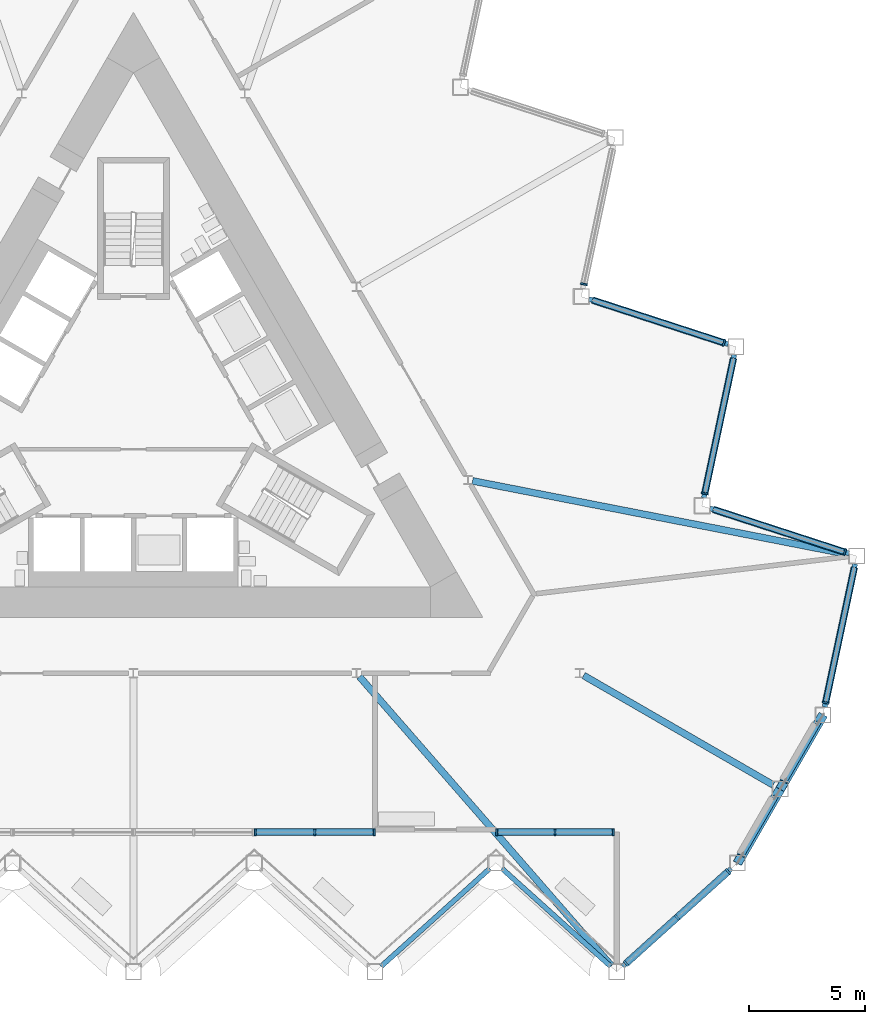
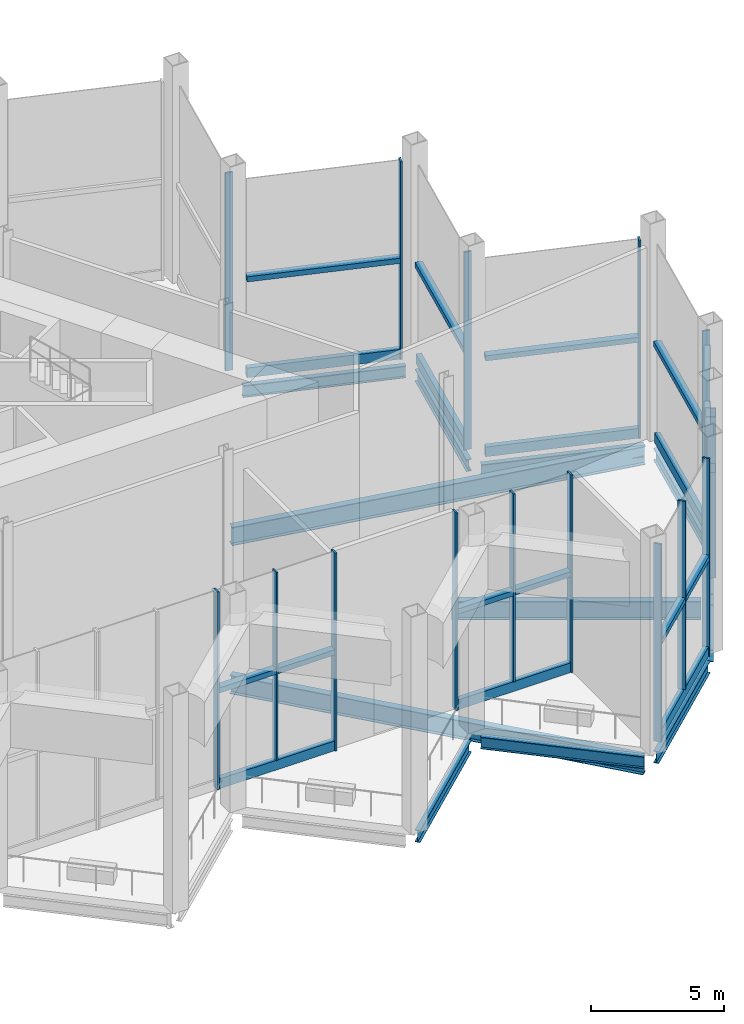
# One storey, part 5 of 17: 33 members, 12 beams, 4 elements without a shape of their own.
"""IFC4 building model written with IfcOpenShell, lengths in metres."""

import ifcopenshell
import ifcopenshell.guid

model = None  # the IFC model being written
_history = None  # IfcOwnerHistory: only IFC2X3 demands one
_inside = {}  # id of a spatial element -> (the spatial element, [elements in it])
_under = {}  # id of a project, library or spatial element -> (it, [spatial elements below it])
_declared = {}  # id of a project -> (the project, [libraries it declares])
_typed = {}  # id of a type object -> (the type object, [elements of that type])
_made_of = {}  # id of a material, layer set ... -> (it, [elements and type objects made of it])


def new_model(schema):
    """Start an empty IFC model of exactly this schema.

    Asked for "IFC4X3", IfcOpenShell would pick the latest addendum, in which some entities
    have other attributes; the version numbers below select the first issue.
    IFC2X3 requires an IfcOwnerHistory on every rooted entity: one is made here for all.
    """
    global model, _history
    if schema == "IFC4X3":
        model = ifcopenshell.file(schema_version=(4, 3, 0, 0))
    else:
        model = ifcopenshell.file(schema=schema)
    _inside.clear()
    _under.clear()
    _declared.clear()
    _typed.clear()
    _made_of.clear()
    _history = None
    if model.schema == "IFC2X3":
        org = make("IfcOrganization", Name="unknown")
        user = make(
            "IfcPersonAndOrganization",
            ThePerson=make("IfcPerson", FamilyName="unknown"),
            TheOrganization=org,
        )
        app = make(
            "IfcApplication",
            ApplicationDeveloper=org,
            Version="unknown",
            ApplicationFullName="unknown",
            ApplicationIdentifier="unknown",
        )
        _history = make(
            "IfcOwnerHistory",
            OwningUser=user,
            OwningApplication=app,
            ChangeAction="ADDED",
            CreationDate=0,
        )
    return model


def make(cls, **values):
    """One entity of the class cls with the attributes given. An attribute that is None is left unset."""
    return model.create_entity(
        cls, **{name: value for name, value in values.items() if value is not None}
    )


def rooted(cls, **values):
    """An entity with a GlobalId (a new one), such as an element, a storey or a relation."""
    return make(cls, GlobalId=ifcopenshell.guid.new(), OwnerHistory=_history, **values)


def si_unit(unit_type, name, prefix=None):
    """IfcSIUnit, for example si_unit("LENGTHUNIT", "METRE", prefix="MILLI")."""
    return make("IfcSIUnit", UnitType=unit_type, Prefix=prefix, Name=name)


def assignment(units):
    """IfcUnitAssignment: the units of a project."""
    return None if units is None else make("IfcUnitAssignment", Units=units)


def point(xyz):
    """IfcCartesianPoint."""
    return None if xyz is None else make("IfcCartesianPoint", Coordinates=xyz)


def direction(xyz):
    """IfcDirection."""
    return None if xyz is None else make("IfcDirection", DirectionRatios=xyz)


def frame(location, z_axis=None, x_axis=None):
    """IfcAxis2Placement3D, a coordinate frame: its origin and axes. An axis left out is left unset."""
    return make(
        "IfcAxis2Placement3D",
        Location=point(location),
        Axis=direction(z_axis),
        RefDirection=direction(x_axis),
    )


def frame_2d(location, x_axis=None):
    """IfcAxis2Placement2D, a coordinate frame in the plane: its origin and x axis."""
    return make(
        "IfcAxis2Placement2D", Location=point(location), RefDirection=direction(x_axis)
    )


def origin():
    """The frame at (0, 0, 0) with its axes left unset."""
    return frame((0.0, 0.0, 0.0))


def origin_2d():
    """The frame at (0, 0) in the plane with its x axis left unset."""
    return frame_2d((0.0, 0.0))


def place(relative_to, where):
    """IfcLocalPlacement: puts the frame where relative to a parent placement (None: the world)."""
    return make(
        "IfcLocalPlacement", PlacementRelTo=relative_to, RelativePlacement=where
    )


def context(
    kind, dimensions, precision=None, world=None, true_north=None, identifier=None
):
    """IfcGeometricRepresentationContext, for example the 3D "Model" context."""
    return make(
        "IfcGeometricRepresentationContext",
        ContextIdentifier=identifier,
        ContextType=kind,
        CoordinateSpaceDimension=dimensions,
        Precision=precision,
        WorldCoordinateSystem=world,
        TrueNorth=true_north,
    )


def subcontext(parent, identifier, kind, view, scale=None):
    """IfcGeometricRepresentationSubContext, for example "Body" below "Model"."""
    return make(
        "IfcGeometricRepresentationSubContext",
        ContextIdentifier=identifier,
        ContextType=kind,
        ParentContext=parent,
        TargetScale=scale,
        TargetView=view,
    )


def project(units=None, contexts=None):
    """IfcProject with its units and contexts."""
    return rooted(
        "IfcProject",
        Name="project",
        RepresentationContexts=contexts,
        UnitsInContext=assignment(units),
    )


def spatial(cls, under=None, at=None, **own):
    """A site, building, storey or space (cls), placed at a placement, below another one or the project."""
    s = rooted(cls, ObjectPlacement=at, **own)
    if under is not None:
        _under.setdefault(under.id(), (under, []))[1].append(s)
    return s


def profile(cls, at=None, kind="AREA", **sizes):
    """A parametric profile (cls). Its sizes go by their IFC names, for example OverallWidth=200.0."""
    return make(cls, ProfileType=kind, Position=at, **sizes)


def rectangle(**sizes):
    """IfcRectangleProfileDef."""
    return profile("IfcRectangleProfileDef", **sizes)


def hollow_rectangle(**sizes):
    """IfcRectangleHollowProfileDef."""
    return profile("IfcRectangleHollowProfileDef", **sizes)


def i_section(**sizes):
    """IfcIShapeProfileDef."""
    return profile("IfcIShapeProfileDef", **sizes)


def extrude(swept, where, along, depth):
    """IfcExtrudedAreaSolid: the profile swept, set in the frame where, extruded along a direction by depth."""
    return make(
        "IfcExtrudedAreaSolid",
        SweptArea=swept,
        Position=where,
        ExtrudedDirection=direction(along),
        Depth=depth,
    )


def shape(context_of_items, identifier, shape_type, items):
    """IfcShapeRepresentation: the items that make up one representation, for example the "Body"."""
    return make(
        "IfcShapeRepresentation",
        ContextOfItems=context_of_items,
        RepresentationIdentifier=identifier,
        RepresentationType=shape_type,
        Items=items,
    )


def material(Name=None, Category=None):
    """IfcMaterial."""
    return make("IfcMaterial", Name=Name, Category=Category)


def layer(
    of_material, thickness, ventilated=None, Name=None, Category=None, Priority=None
):
    """IfcMaterialLayer: one layer of a wall or slab, of a material (None: an air gap)."""
    return make(
        "IfcMaterialLayer",
        Material=of_material,
        LayerThickness=thickness,
        IsVentilated=ventilated,
        Name=Name,
        Category=Category,
        Priority=Priority,
    )


def layer_set(layers, Name=None):
    """IfcMaterialLayerSet."""
    return make("IfcMaterialLayerSet", MaterialLayers=layers, LayerSetName=Name)


def material_profile(
    of_material, cross_section, Name=None, Category=None, Priority=None
):
    """IfcMaterialProfile: a cross section and its material."""
    return make(
        "IfcMaterialProfile",
        Name=Name,
        Material=of_material,
        Profile=cross_section,
        Priority=Priority,
        Category=Category,
    )


def profile_set(profiles, Name=None, composite=None):
    """IfcMaterialProfileSet."""
    return make(
        "IfcMaterialProfileSet",
        Name=Name,
        MaterialProfiles=profiles,
        CompositeProfile=composite,
    )


def made_of(thing, what):
    """Note that an element or type object is made of a material, layer set ...; save() writes the relation."""
    if what is not None:
        _made_of.setdefault(what.id(), (what, []))[1].append(thing)
    return thing


def type_object(cls, material=None, **own):
    """A type object (cls), such as IfcWallType, which elements share."""
    return made_of(rooted(cls, **own), material)


def element(
    cls,
    number,
    at=None,
    inside=None,
    cuts=None,
    type_object=None,
    material=None,
    context=None,
    identifier="Body",
    shape_type=None,
    held_by="IfcProductDefinitionShape",
    body=None,
    shapes=None,
    **own,
):
    """One element of the class cls, such as IfcWall. Its Tag is "e" and its number.

    at: its placement. inside: the storey or other place that contains it. cuts: it is an
    opening in that element (IfcRelVoidsElement). A single representation is given by context,
    identifier, shape_type and body (its items); several are given by shapes. held_by: the class
    of the entity that holds the representations. save() writes the other relations.
    """
    e = rooted(cls, Tag="e%d" % number, ObjectPlacement=at, **own)
    if body is not None:
        shapes = [shape(context, identifier, shape_type, body)]
    if shapes is not None:
        e.Representation = make(held_by, Representations=shapes)
    if inside is not None:
        _inside.setdefault(inside.id(), (inside, []))[1].append(e)
    if cuts is not None:
        rooted(
            "IfcRelVoidsElement", RelatingBuildingElement=cuts, RelatedOpeningElement=e
        )
    if type_object is not None:
        _typed.setdefault(type_object.id(), (type_object, []))[1].append(e)
    return made_of(e, material)


def aggregate(whole, parts):
    """IfcRelAggregates: a whole, such as a stair, and the parts it consists of."""
    return rooted("IfcRelAggregates", RelatingObject=whole, RelatedObjects=parts)


def save(model, path):
    """Write the relations noted so far, then the file.

    IfcRelAggregates (storeys below a building ...), IfcRelContainedInSpatialStructure (elements
    in a storey), IfcRelDefinesByType, IfcRelAssociatesMaterial and IfcRelDeclares: one each for
    every whole, place, type object, material and project.
    """
    for whole, parts in _under.values():
        aggregate(whole, parts)
    for where, things in _inside.values():
        rooted(
            "IfcRelContainedInSpatialStructure",
            RelatedElements=things,
            RelatingStructure=where,
        )
    for kind, things in _typed.values():
        rooted("IfcRelDefinesByType", RelatedObjects=things, RelatingType=kind)
    for what, things in _made_of.values():
        rooted("IfcRelAssociatesMaterial", RelatedObjects=things, RelatingMaterial=what)
    for by, libraries in _declared.values():
        rooted("IfcRelDeclares", RelatingContext=by, RelatedDefinitions=libraries)
    model.write(path)


model = new_model("IFC4")

# Units and contexts
model_context = context("Model", 3, precision=1e-05, world=origin(), true_north=direction((0.0, 1.0)))
body_context = subcontext(model_context, "Body", "Model", "MODEL_VIEW")
ifc_project = project(units=[si_unit("LENGTHUNIT", "METRE"), si_unit("AREAUNIT", "SQUARE_METRE"), si_unit("VOLUMEUNIT", "CUBIC_METRE"), si_unit("PLANEANGLEUNIT", "RADIAN"), si_unit("MASSUNIT", "GRAM", prefix="KILO")], contexts=[model_context])

# Site, building, storey
site_placement = place(None, origin())
site = spatial("IfcSite", under=ifc_project, at=site_placement, CompositionType="ELEMENT")
building_placement = place(site_placement, origin())
building = spatial("IfcBuilding", under=site, at=building_placement, Name="Cormorant Prow Tower", CompositionType="ELEMENT")
storey_placement = place(building_placement, frame((0.0, 0.0, 277.800048828125)))
storey = spatial("IfcBuildingStorey", under=building, at=storey_placement, Name="L63", CompositionType="ELEMENT", Elevation=277.800048828125)

# Members
ifc_material_1 = material(Name="Structural steel ASTM A500 Gr C", Category="steel")
ifc_material_profile_1 = material_profile(ifc_material_1, hollow_rectangle(XDim=0.406494140625, YDim=0.406494140625, WallThickness=0.01171875, at=origin_2d()), Name="HSS16x16x1/2")
ifc_profile_set_1 = profile_set([ifc_material_profile_1], Name="Structural steel ASTM A500 Gr C")
member_type_1 = type_object("IfcMemberType", Name="Chamfer brace HSS16x16x1/2", PredefinedType="BRACE", material=ifc_profile_set_1)
for number, where, z_axis, x_axis, name in (
    (1, (27.693115234375, -16.180908203125, 0.958251953125), (-0.210649248419, -0.36486853724, 0.90691666909), (0.866033317326, -0.499986293093, 0.0), "Chamfer brace BR2 at ESE00 L63"),
    (2, (29.5283203125, -13.002197265625, 0.958251953125), (-0.210649248419, -0.36486853724, 0.90691666909), (0.866033317326, -0.499986293093, 0.0), "Chamfer brace BR2 at ESE01 L63"),
):
    element("IfcMember", number, at=place(storey_placement, frame(where, z_axis=z_axis, x_axis=x_axis)), inside=storey, type_object=member_type_1, Name=name, PredefinedType="BRACE", context=body_context, shape_type="SweptSolid", body=[
        extrude(hollow_rectangle(XDim=0.406494140625, YDim=0.406494140625, WallThickness=0.01171875, at=origin_2d()), origin(), (0.0, 0.0, 1.0), 7.921630859375),
    ])

# Beams
ifc_material_2 = material(Name="Structural steel ASTM A992 Gr 50", Category="steel")
ifc_material_profile_2 = material_profile(ifc_material_2, i_section(OverallWidth=0.29296875, OverallDepth=0.845703125, WebThickness=0.015380859375, FlangeThickness=0.0244140625, at=origin_2d()), Name="W33x141")
ifc_profile_set_2 = profile_set([ifc_material_profile_2], Name="Structural steel ASTM A992 Gr 50")
beam_type_1 = type_object("IfcBeamType", Name="Radial floor beam W33x141", PredefinedType="BEAM", material=ifc_profile_set_2)
beam_1_placement = place(storey_placement, frame((9.70947265625, -11.210693359375, -0.77294921875), z_axis=(0.656874593387, -0.753999846527, 0.0), x_axis=(0.753999846527, 0.656874593387, 0.0)))
element("IfcBeam", 3, at=beam_1_placement, inside=storey, type_object=beam_type_1, Name="Radial floor beam FB2 8 L63", PredefinedType="BEAM", context=body_context, shape_type="SweptSolid", body=[
    extrude(i_section(OverallWidth=0.29296875, OverallDepth=0.845703125, WebThickness=0.015380859375, FlangeThickness=0.0244140625, at=origin_2d()), origin(), (0.0, 0.0, 1.0), 16.4619140625),
])
beam_2_placement = place(storey_placement, frame((19.32958984375, -11.159912109375, -0.77294921875), z_axis=(0.866021726843, -0.500006368596, 0.0), x_axis=(0.500006368596, 0.866021726843, 0.0)))
element("IfcBeam", 4, at=beam_2_placement, inside=storey, type_object=beam_type_1, Name="Radial floor beam FB2 9 L63", PredefinedType="BEAM", context=body_context, shape_type="SweptSolid", body=[
    extrude(i_section(OverallWidth=0.29296875, OverallDepth=0.845703125, WebThickness=0.015380859375, FlangeThickness=0.0244140625, at=origin_2d()), origin(), (0.0, 0.0, 1.0), 9.40380859375),
])
beam_3_placement = place(storey_placement, frame((14.5634765625, -2.80322265625, -0.77294921875), z_axis=(0.981419133752, -0.191876220269, 0.0), x_axis=(0.191876220269, 0.981419133752, 0.0)))
element("IfcBeam", 5, at=beam_3_placement, inside=storey, type_object=beam_type_1, Name="Radial floor beam FB2 10 L63", PredefinedType="BEAM", context=body_context, shape_type="SweptSolid", body=[
    extrude(i_section(OverallWidth=0.29296875, OverallDepth=0.845703125, WebThickness=0.015380859375, FlangeThickness=0.0244140625, at=origin_2d()), origin(), (0.0, 0.0, 1.0), 16.462158203125),
])

# Curtain wall, members
ifc_material_3 = material(Name="Aluminium 6063-T6", Category="aluminium")
ifc_layer = layer(ifc_material_3, 0.300048828125)
ifc_layer_set = layer_set([ifc_layer], Name="Aluminium 6063-T6")
curtain_wall_type = type_object("IfcCurtainWallType", Name="Sky lobby unitised curtain wall 300", PredefinedType="NOTDEFINED", material=ifc_layer_set)
curtain_wall_1_placement = place(storey_placement, origin())
curtain_wall_1 = element("IfcCurtainWall", 6, at=curtain_wall_1_placement, inside=storey, type_object=curtain_wall_type, Name="Sky lobby curtain wall S09", PredefinedType="NOTDEFINED")
ifc_material_4 = material(Name="Aluminium 6063-T6", Category="aluminium")
ifc_material_profile_3 = material_profile(ifc_material_4, rectangle(XDim=0.300048828125, YDim=0.239990234375, at=origin_2d()), Name="Sky lobby intermediate transom 300x240")
ifc_profile_set_3 = profile_set([ifc_material_profile_3], Name="Aluminium 6063-T6")
member_type_2 = type_object("IfcMemberType", Name="Sky lobby intermediate transom 300x240", PredefinedType="USERDEFINED", material=ifc_profile_set_3)
member_1_placement = place(storey_placement, frame((21.184814453125, -23.498046875, 4.550537109375), z_axis=(0.743146066164, 0.669129228435, 0.0), x_axis=(-0.669129228435, 0.743146066164, 0.0)))
member_1 = element("IfcMember", 7, at=member_1_placement, type_object=member_type_2, Name="Sky lobby intermediate transom S09", ObjectType="TRANSOM", PredefinedType="USERDEFINED", context=body_context, shape_type="SweptSolid", body=[
    extrude(rectangle(XDim=0.300048828125, YDim=0.239990234375, at=origin_2d()), origin(), (0.0, 0.0, 1.0), 2.86962890625),
])
member_2_placement = place(storey_placement, frame((23.376708984375, -21.5244140625, 4.550537109375), z_axis=(0.743184154332, 0.669086924659, 0.0), x_axis=(-0.669086924659, 0.743184154332, 0.0)))
member_2 = element("IfcMember", 8, at=member_2_placement, type_object=member_type_2, Name="Sky lobby intermediate transom S09", ObjectType="TRANSOM", PredefinedType="USERDEFINED", context=body_context, shape_type="SweptSolid", body=[
    extrude(rectangle(XDim=0.300048828125, YDim=0.239990234375, at=origin_2d()), origin(), (0.0, 0.0, 1.0), 2.869873046875),
])

curtain_wall_2_placement = place(storey_placement, origin())
curtain_wall_2 = element("IfcCurtainWall", 9, at=curtain_wall_2_placement, inside=storey, type_object=curtain_wall_type, Name="Sky lobby curtain wall ENE00-ENE09", PredefinedType="NOTDEFINED")
member_3_placement = place(storey_placement, frame((29.732421875, -12.289794921875, 4.550537109375), z_axis=(0.207912209842, 0.978147490412, 0.0), x_axis=(-0.978147490412, 0.207912209842, 0.0)))
member_3 = element("IfcMember", 10, at=member_3_placement, type_object=member_type_2, Name="Sky lobby intermediate transom ENE00-ENE09", ObjectType="TRANSOM", PredefinedType="USERDEFINED", context=body_context, shape_type="SweptSolid", body=[
    extrude(rectangle(XDim=0.300048828125, YDim=0.239990234375, at=origin_2d()), origin(), (0.0, 0.0, 1.0), 5.8994140625),
])
member_4_placement = place(storey_placement, frame((30.510498046875, -5.849609375, 4.550537109375), z_axis=(-0.951056267438, 0.309017760278, 0.0), x_axis=(-0.309017760278, -0.951056267438, 0.0)))
member_4 = element("IfcMember", 11, at=member_4_placement, type_object=member_type_2, Name="Sky lobby intermediate transom ENE00-ENE09", ObjectType="TRANSOM", PredefinedType="USERDEFINED", context=body_context, shape_type="SweptSolid", body=[
    extrude(rectangle(XDim=0.300048828125, YDim=0.239990234375, at=origin_2d()), origin(), (0.0, 0.0, 1.0), 5.8994140625),
])
member_5_placement = place(storey_placement, frame((24.544189453125, -3.303466796875, 4.550537109375), z_axis=(0.207912209842, 0.978147490412, 0.0), x_axis=(-0.978147490412, 0.207912209842, 0.0)))
member_5 = element("IfcMember", 12, at=member_5_placement, type_object=member_type_2, Name="Sky lobby intermediate transom ENE00-ENE09", ObjectType="TRANSOM", PredefinedType="USERDEFINED", context=body_context, shape_type="SweptSolid", body=[
    extrude(rectangle(XDim=0.300048828125, YDim=0.239990234375, at=origin_2d()), origin(), (0.0, 0.0, 1.0), 5.8994140625),
])
member_6_placement = place(storey_placement, frame((25.322265625, 3.13671875, 4.550537109375), z_axis=(-0.951056267438, 0.309017760278, 0.0), x_axis=(-0.309017760278, -0.951056267438, 0.0)))
member_6 = element("IfcMember", 13, at=member_6_placement, type_object=member_type_2, Name="Sky lobby intermediate transom ENE00-ENE09", ObjectType="TRANSOM", PredefinedType="USERDEFINED", context=body_context, shape_type="SweptSolid", body=[
    extrude(rectangle(XDim=0.300048828125, YDim=0.239990234375, at=origin_2d()), origin(), (0.0, 0.0, 1.0), 5.8994140625),
])

curtain_wall_3_placement = place(storey_placement, origin())
curtain_wall_3 = element("IfcCurtainWall", 14, at=curtain_wall_3_placement, inside=storey, type_object=curtain_wall_type, Name="Sky lobby curtain wall loggia S06", PredefinedType="NOTDEFINED")
member_7_placement = place(storey_placement, frame((5.268310546875, -17.886962890625, 4.550537109375), z_axis=(1.0, 0.0, 0.0), x_axis=(0.0, 1.0, 0.0)))
member_7 = element("IfcMember", 15, at=member_7_placement, type_object=member_type_2, Name="Sky lobby intermediate transom loggia S06", ObjectType="TRANSOM", PredefinedType="USERDEFINED", context=body_context, shape_type="SweptSolid", body=[
    extrude(rectangle(XDim=0.300048828125, YDim=0.239990234375, at=origin_2d()), origin(), (0.0, 0.0, 1.0), 2.47412109375),
])
member_8_placement = place(storey_placement, frame((7.822265625, -17.886962890625, 4.550537109375), z_axis=(1.0, 0.0, 0.0), x_axis=(0.0, 1.0, 0.0)))
member_8 = element("IfcMember", 16, at=member_8_placement, type_object=member_type_2, Name="Sky lobby intermediate transom loggia S06", ObjectType="TRANSOM", PredefinedType="USERDEFINED", context=body_context, shape_type="SweptSolid", body=[
    extrude(rectangle(XDim=0.300048828125, YDim=0.239990234375, at=origin_2d()), origin(), (0.0, 0.0, 1.0), 2.47412109375),
])

curtain_wall_4_placement = place(storey_placement, origin())
curtain_wall_4 = element("IfcCurtainWall", 17, at=curtain_wall_4_placement, inside=storey, type_object=curtain_wall_type, Name="Sky lobby curtain wall loggia S08", PredefinedType="NOTDEFINED")
member_9_placement = place(storey_placement, frame((15.644775390625, -17.886962890625, 4.550537109375), z_axis=(1.0, 0.0, 0.0), x_axis=(0.0, 1.0, 0.0)))
member_9 = element("IfcMember", 18, at=member_9_placement, type_object=member_type_2, Name="Sky lobby intermediate transom loggia S08", ObjectType="TRANSOM", PredefinedType="USERDEFINED", context=body_context, shape_type="SweptSolid", body=[
    extrude(rectangle(XDim=0.300048828125, YDim=0.239990234375, at=origin_2d()), origin(), (0.0, 0.0, 1.0), 2.4189453125),
])
member_10_placement = place(storey_placement, frame((18.143798828125, -17.886962890625, 4.550537109375), z_axis=(1.0, 0.0, 0.0), x_axis=(0.0, 1.0, 0.0)))
member_10 = element("IfcMember", 19, at=member_10_placement, type_object=member_type_2, Name="Sky lobby intermediate transom loggia S08", ObjectType="TRANSOM", PredefinedType="USERDEFINED", context=body_context, shape_type="SweptSolid", body=[
    extrude(rectangle(XDim=0.300048828125, YDim=0.239990234375, at=origin_2d()), origin(), (0.0, 0.0, 1.0), 2.419189453125),
])

# Member
ifc_material_5 = material(Name="Aluminium 6063-T6", Category="aluminium")
ifc_material_profile_4 = material_profile(ifc_material_5, rectangle(XDim=0.300048828125, YDim=0.080078125, at=origin_2d()), Name="Sky lobby mullion 80x300")
ifc_profile_set_4 = profile_set([ifc_material_profile_4], Name="Aluminium 6063-T6")
member_type_3 = type_object("IfcMemberType", Name="Sky lobby mullion 80x300", PredefinedType="MULLION", material=ifc_profile_set_4)
member_11_placement = place(storey_placement, frame((21.155029296875, -23.52490234375, 0.0), z_axis=(0.0, 0.0, 1.0), x_axis=(-0.669130584309, 0.743144845331, 0.0)))
member_11 = element("IfcMember", 20, at=member_11_placement, type_object=member_type_3, Name="Sky lobby mullion S09", PredefinedType="MULLION", context=body_context, shape_type="SweptSolid", body=[
    extrude(rectangle(XDim=0.300048828125, YDim=0.080078125, at=origin_2d()), origin(), (0.0, 0.0, 1.0), 9.100830078125),
])

member_12_placement = place(storey_placement, frame((23.34716796875, -21.55126953125, 0.449951171875), z_axis=(0.0, 0.0, 1.0), x_axis=(-0.669130584309, 0.743144845331, 0.0)))
member_12 = element("IfcMember", 21, at=member_12_placement, type_object=member_type_3, Name="Sky lobby mullion S09", PredefinedType="MULLION", context=body_context, shape_type="SweptSolid", body=[
    extrude(rectangle(XDim=0.300048828125, YDim=0.080078125, at=origin_2d()), origin(), (0.0, 0.0, 1.0), 8.65087890625),
])

member_13_placement = place(storey_placement, frame((25.5390625, -19.577392578125, 0.0), z_axis=(0.0, 0.0, 1.0), x_axis=(-0.669130584309, 0.743144845331, 0.0)))
member_13 = element("IfcMember", 22, at=member_13_placement, type_object=member_type_3, Name="Sky lobby mullion S09", PredefinedType="MULLION", context=body_context, shape_type="SweptSolid", body=[
    extrude(rectangle(XDim=0.300048828125, YDim=0.080078125, at=origin_2d()), origin(), (0.0, 0.0, 1.0), 9.100830078125),
])

member_14_placement = place(storey_placement, frame((29.72412109375, -12.328857421875, 0.0), z_axis=(0.0, 0.0, 1.0), x_axis=(-0.97814760486, 0.207911671407, 0.0)))
member_14 = element("IfcMember", 23, at=member_14_placement, type_object=member_type_3, Name="Sky lobby mullion ENE00-ENE09", PredefinedType="MULLION", context=body_context, shape_type="SweptSolid", body=[
    extrude(rectangle(XDim=0.300048828125, YDim=0.080078125, at=origin_2d()), origin(), (0.0, 0.0, 1.0), 9.100830078125),
])

member_15_placement = place(storey_placement, frame((30.548583984375, -5.862060546875, 0.0), z_axis=(0.0, 0.0, 1.0), x_axis=(-0.309016984432, -0.951056519526, 0.0)))
member_15 = element("IfcMember", 24, at=member_15_placement, type_object=member_type_3, Name="Sky lobby mullion ENE00-ENE09", PredefinedType="MULLION", context=body_context, shape_type="SweptSolid", body=[
    extrude(rectangle(XDim=0.300048828125, YDim=0.080078125, at=origin_2d()), origin(), (0.0, 0.0, 1.0), 9.100830078125),
])

member_16_placement = place(storey_placement, frame((24.535888671875, -3.342529296875, 0.0), z_axis=(0.0, 0.0, 1.0), x_axis=(-0.97814761105, 0.207911642282, 0.0)))
member_16 = element("IfcMember", 25, at=member_16_placement, type_object=member_type_3, Name="Sky lobby mullion ENE00-ENE09", PredefinedType="MULLION", context=body_context, shape_type="SweptSolid", body=[
    extrude(rectangle(XDim=0.300048828125, YDim=0.080078125, at=origin_2d()), origin(), (0.0, 0.0, 1.0), 9.100830078125),
])

member_17_placement = place(storey_placement, frame((25.3603515625, 3.124267578125, 0.0), z_axis=(0.0, 0.0, 1.0), x_axis=(-0.309016942337, -0.951056533203, 0.0)))
member_17 = element("IfcMember", 26, at=member_17_placement, type_object=member_type_3, Name="Sky lobby mullion ENE00-ENE09", PredefinedType="MULLION", context=body_context, shape_type="SweptSolid", body=[
    extrude(rectangle(XDim=0.300048828125, YDim=0.080078125, at=origin_2d()), origin(), (0.0, 0.0, 1.0), 9.100830078125),
])

member_18_placement = place(storey_placement, frame((19.34765625, 5.643798828125, 0.0), z_axis=(0.0, 0.0, 1.0), x_axis=(-0.97814760486, 0.207911671407, 0.0)))
member_18 = element("IfcMember", 27, at=member_18_placement, type_object=member_type_3, Name="Sky lobby mullion ENE00-ENE09", PredefinedType="MULLION", context=body_context, shape_type="SweptSolid", body=[
    extrude(rectangle(XDim=0.300048828125, YDim=0.080078125, at=origin_2d()), origin(), (0.0, 0.0, 1.0), 9.100830078125),
])

member_19_placement = place(storey_placement, frame((5.228271484375, -17.886962890625, 0.0), z_axis=(0.0, 0.0, 1.0), x_axis=(0.0, 1.0, 0.0)))
member_19 = element("IfcMember", 28, at=member_19_placement, type_object=member_type_3, Name="Sky lobby mullion loggia S06", PredefinedType="MULLION", context=body_context, shape_type="SweptSolid", body=[
    extrude(rectangle(XDim=0.300048828125, YDim=0.080078125, at=origin_2d()), origin(), (0.0, 0.0, 1.0), 9.100830078125),
])

member_20_placement = place(storey_placement, frame((7.782470703125, -17.886962890625, 0.449951171875), z_axis=(0.0, 0.0, 1.0), x_axis=(0.0, 1.0, 0.0)))
member_20 = element("IfcMember", 29, at=member_20_placement, type_object=member_type_3, Name="Sky lobby mullion loggia S06", PredefinedType="MULLION", context=body_context, shape_type="SweptSolid", body=[
    extrude(rectangle(XDim=0.300048828125, YDim=0.080078125, at=origin_2d()), origin(), (0.0, 0.0, 1.0), 8.65087890625),
])

member_21_placement = place(storey_placement, frame((10.33642578125, -17.886962890625, 0.0), z_axis=(0.0, 0.0, 1.0), x_axis=(0.0, 1.0, 0.0)))
member_21 = element("IfcMember", 30, at=member_21_placement, type_object=member_type_3, Name="Sky lobby mullion loggia S06", PredefinedType="MULLION", context=body_context, shape_type="SweptSolid", body=[
    extrude(rectangle(XDim=0.300048828125, YDim=0.080078125, at=origin_2d()), origin(), (0.0, 0.0, 1.0), 9.100830078125),
])

member_22_placement = place(storey_placement, frame((15.604736328125, -17.886962890625, 0.0), z_axis=(0.0, 0.0, 1.0), x_axis=(0.0, 1.0, 0.0)))
member_22 = element("IfcMember", 31, at=member_22_placement, type_object=member_type_3, Name="Sky lobby mullion loggia S08", PredefinedType="MULLION", context=body_context, shape_type="SweptSolid", body=[
    extrude(rectangle(XDim=0.300048828125, YDim=0.080078125, at=origin_2d()), origin(), (0.0, 0.0, 1.0), 9.100830078125),
])

member_23_placement = place(storey_placement, frame((18.103759765625, -17.886962890625, 0.449951171875), z_axis=(0.0, 0.0, 1.0), x_axis=(0.0, 1.0, 0.0)))
member_23 = element("IfcMember", 32, at=member_23_placement, type_object=member_type_3, Name="Sky lobby mullion loggia S08", PredefinedType="MULLION", context=body_context, shape_type="SweptSolid", body=[
    extrude(rectangle(XDim=0.300048828125, YDim=0.080078125, at=origin_2d()), origin(), (0.0, 0.0, 1.0), 8.65087890625),
])

member_24_placement = place(storey_placement, frame((20.60302734375, -17.886962890625, 0.0), z_axis=(0.0, 0.0, 1.0), x_axis=(0.0, 1.0, 0.0)))
member_24 = element("IfcMember", 33, at=member_24_placement, type_object=member_type_3, Name="Sky lobby mullion loggia S08", PredefinedType="MULLION", context=body_context, shape_type="SweptSolid", body=[
    extrude(rectangle(XDim=0.300048828125, YDim=0.080078125, at=origin_2d()), origin(), (0.0, 0.0, 1.0), 9.100830078125),
])

ifc_material_6 = material(Name="Terracotta", Category="masonry")
ifc_material_profile_5 = material_profile(ifc_material_6, rectangle(XDim=0.219970703125, YDim=0.449951171875, at=origin_2d()), Name="Sky lobby terracotta spandrel rail 220x450")
ifc_profile_set_5 = profile_set([ifc_material_profile_5], Name="Terracotta")
member_type_4 = type_object("IfcMemberType", Name="Sky lobby terracotta spandrel rail 220x450", PredefinedType="USERDEFINED", material=ifc_profile_set_5)
member_25_placement = place(storey_placement, frame((21.184814453125, -23.498046875, 0.224853515625), z_axis=(0.743160622624, 0.669113061433, 0.0), x_axis=(-0.669113061433, 0.743160622624, 0.0)))
member_25 = element("IfcMember", 34, at=member_25_placement, type_object=member_type_4, Name="Sky lobby spandrel rail S09", ObjectType="TRANSOM", PredefinedType="USERDEFINED", context=body_context, shape_type="SweptSolid", body=[
    extrude(rectangle(XDim=0.219970703125, YDim=0.449951171875, at=origin_2d()), origin(), (0.0, 0.0, 1.0), 5.8193359375),
])

aggregate(curtain_wall_1, [member_11, member_12, member_13, member_25, member_1, member_2])

member_26_placement = place(storey_placement, frame((29.732421875, -12.289794921875, 0.224853515625), z_axis=(0.207912209842, 0.978147490412, 0.0), x_axis=(-0.978147490412, 0.207912209842, 0.0)))
member_26 = element("IfcMember", 35, at=member_26_placement, type_object=member_type_4, Name="Sky lobby spandrel rail ENE00-ENE09", ObjectType="TRANSOM", PredefinedType="USERDEFINED", context=body_context, shape_type="SweptSolid", body=[
    extrude(rectangle(XDim=0.219970703125, YDim=0.449951171875, at=origin_2d()), origin(), (0.0, 0.0, 1.0), 5.8994140625),
])

member_27_placement = place(storey_placement, frame((30.510498046875, -5.849609375, 0.224853515625), z_axis=(-0.951056267438, 0.309017760278, 0.0), x_axis=(-0.309017760278, -0.951056267438, 0.0)))
member_27 = element("IfcMember", 36, at=member_27_placement, type_object=member_type_4, Name="Sky lobby spandrel rail ENE00-ENE09", ObjectType="TRANSOM", PredefinedType="USERDEFINED", context=body_context, shape_type="SweptSolid", body=[
    extrude(rectangle(XDim=0.219970703125, YDim=0.449951171875, at=origin_2d()), origin(), (0.0, 0.0, 1.0), 5.8994140625),
])

member_28_placement = place(storey_placement, frame((24.544189453125, -3.303466796875, 0.224853515625), z_axis=(0.207912209842, 0.978147490412, 0.0), x_axis=(-0.978147490412, 0.207912209842, 0.0)))
member_28 = element("IfcMember", 37, at=member_28_placement, type_object=member_type_4, Name="Sky lobby spandrel rail ENE00-ENE09", ObjectType="TRANSOM", PredefinedType="USERDEFINED", context=body_context, shape_type="SweptSolid", body=[
    extrude(rectangle(XDim=0.219970703125, YDim=0.449951171875, at=origin_2d()), origin(), (0.0, 0.0, 1.0), 5.8994140625),
])

member_29_placement = place(storey_placement, frame((25.322265625, 3.13671875, 0.224853515625), z_axis=(-0.951056267438, 0.309017760278, 0.0), x_axis=(-0.309017760278, -0.951056267438, 0.0)))
member_29 = element("IfcMember", 38, at=member_29_placement, type_object=member_type_4, Name="Sky lobby spandrel rail ENE00-ENE09", ObjectType="TRANSOM", PredefinedType="USERDEFINED", context=body_context, shape_type="SweptSolid", body=[
    extrude(rectangle(XDim=0.219970703125, YDim=0.449951171875, at=origin_2d()), origin(), (0.0, 0.0, 1.0), 5.8994140625),
])

aggregate(curtain_wall_2, [member_14, member_26, member_3, member_15, member_27, member_4, member_16, member_28, member_5, member_17, member_29, member_6, member_18])

member_30_placement = place(storey_placement, frame((5.268310546875, -17.886962890625, 0.224853515625), z_axis=(1.0, 0.0, 0.0), x_axis=(0.0, 1.0, 0.0)))
member_30 = element("IfcMember", 39, at=member_30_placement, type_object=member_type_4, Name="Sky lobby spandrel rail loggia S06", ObjectType="TRANSOM", PredefinedType="USERDEFINED", context=body_context, shape_type="SweptSolid", body=[
    extrude(rectangle(XDim=0.219970703125, YDim=0.449951171875, at=origin_2d()), origin(), (0.0, 0.0, 1.0), 5.028076171875),
])

aggregate(curtain_wall_3, [member_19, member_20, member_21, member_30, member_7, member_8])

member_31_placement = place(storey_placement, frame((15.644775390625, -17.886962890625, 0.224853515625), z_axis=(1.0, 0.0, 0.0), x_axis=(0.0, 1.0, 0.0)))
member_31 = element("IfcMember", 40, at=member_31_placement, type_object=member_type_4, Name="Sky lobby spandrel rail loggia S08", ObjectType="TRANSOM", PredefinedType="USERDEFINED", context=body_context, shape_type="SweptSolid", body=[
    extrude(rectangle(XDim=0.219970703125, YDim=0.449951171875, at=origin_2d()), origin(), (0.0, 0.0, 1.0), 4.918212890625),
])

aggregate(curtain_wall_4, [member_22, member_23, member_24, member_31, member_9, member_10])

# Beams
ifc_material_7 = material(Name="Structural steel ASTM A992 Gr 50", Category="steel")
ifc_material_profile_6 = material_profile(ifc_material_7, i_section(OverallWidth=0.2138671875, OverallDepth=0.549072265625, WebThickness=0.0146484375, FlangeThickness=0.023681640625, at=origin_2d()), Name="W21x93")
ifc_profile_set_6 = profile_set([ifc_material_profile_6], Name="Structural steel ASTM A992 Gr 50")
beam_type_2 = type_object("IfcBeamType", Name="Spandrel beam W21x93", PredefinedType="SPANDREL", material=ifc_profile_set_6)
for number, where, z_axis, x_axis, name in (
    (41, (10.636474609375, -23.65283203125, -0.62451171875), (0.743156918576, 0.669117175368, 0.0), (-0.669117175368, 0.743156918576, 0.0), "Spandrel beam SB2 S07-S08 L63"),
    (42, (15.82470703125, -19.44970703125, -0.62451171875), (0.743156918576, -0.669117175368, 0.0), (0.669117175368, 0.743156918576, 0.0), "Spandrel beam SB2 S08-S09 L63"),
    (43, (21.012939453125, -23.65283203125, -0.62451171875), (0.743156918576, 0.669117175368, 0.0), (-0.669117175368, 0.743156918576, 0.0), "Spandrel beam SB2 S09-ESE00 L63"),
):
    element("IfcBeam", number, at=place(storey_placement, frame(where, z_axis=z_axis, x_axis=x_axis)), inside=storey, type_object=beam_type_2, Name=name, PredefinedType="SPANDREL", context=body_context, shape_type="SweptSolid", body=[
        extrude(i_section(OverallWidth=0.2138671875, OverallDepth=0.549072265625, WebThickness=0.0146484375, FlangeThickness=0.023681640625, at=origin_2d()), origin(), (0.0, 0.0, 1.0), 6.281494140625),
    ])
for number, where, z_axis, x_axis, name in (
    (44, (26.1162109375, -18.912353515625, -0.62451171875), (0.499966725515, 0.866044613965, 0.0), (-0.866044613965, 0.499966725515, 0.0), "Spandrel beam SB2 ESE00-ESE01 L63"),
    (45, (27.951416015625, -15.733642578125, -0.62451171875), (0.499966725515, 0.866044613965, 0.0), (-0.866044613965, 0.499966725515, 0.0), "Spandrel beam SB2 ESE01-ENE00 L63"),
):
    element("IfcBeam", number, at=place(storey_placement, frame(where, z_axis=z_axis, x_axis=x_axis)), inside=storey, type_object=beam_type_2, Name=name, PredefinedType="SPANDREL", context=body_context, shape_type="SweptSolid", body=[
        extrude(i_section(OverallWidth=0.2138671875, OverallDepth=0.549072265625, WebThickness=0.0146484375, FlangeThickness=0.023681640625, at=origin_2d()), origin(), (0.0, 0.0, 1.0), 2.970458984375),
    ])
for number, where, z_axis, x_axis, name in (
    (46, (29.684326171875, -12.515625, -0.62451171875), (0.207941499013, 0.978141264331, 0.0), (-0.978141264331, 0.207941499013, 0.0), "Spandrel beam SB2 ENE00-ENE01 L63"),
    (47, (30.730224609375, -5.9208984375, -0.62451171875), (-0.951061771288, 0.309000820701, 0.0), (-0.309000820701, -0.951061771288, 0.0), "Spandrel beam SB2 ENE01-ENE02 L63"),
    (48, (24.49609375, -3.529296875, -0.62451171875), (0.207941499013, 0.978141264331, 0.0), (-0.978141264331, 0.207941499013, 0.0), "Spandrel beam SB2 ENE02-ENE03 L63"),
    (49, (25.5419921875, 3.0654296875, -0.62451171875), (-0.951061771288, 0.309000820701, 0.0), (-0.309000820701, -0.951061771288, 0.0), "Spandrel beam SB2 ENE03-ENE04 L63"),
):
    element("IfcBeam", number, at=place(storey_placement, frame(where, z_axis=z_axis, x_axis=x_axis)), inside=storey, type_object=beam_type_2, Name=name, PredefinedType="SPANDREL", context=body_context, shape_type="SweptSolid", body=[
        extrude(i_section(OverallWidth=0.2138671875, OverallDepth=0.549072265625, WebThickness=0.0146484375, FlangeThickness=0.023681640625, at=origin_2d()), origin(), (0.0, 0.0, 1.0), 6.28125),
    ])

save(model, "model.ifc")
